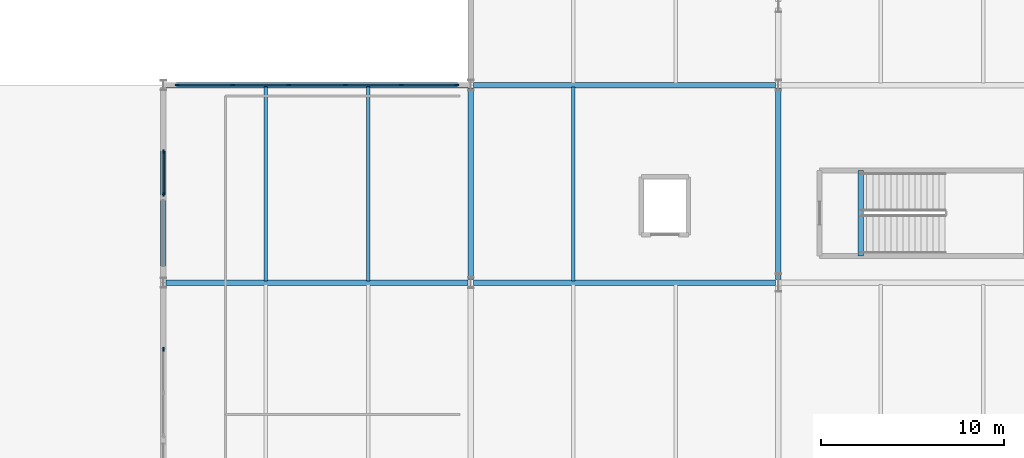
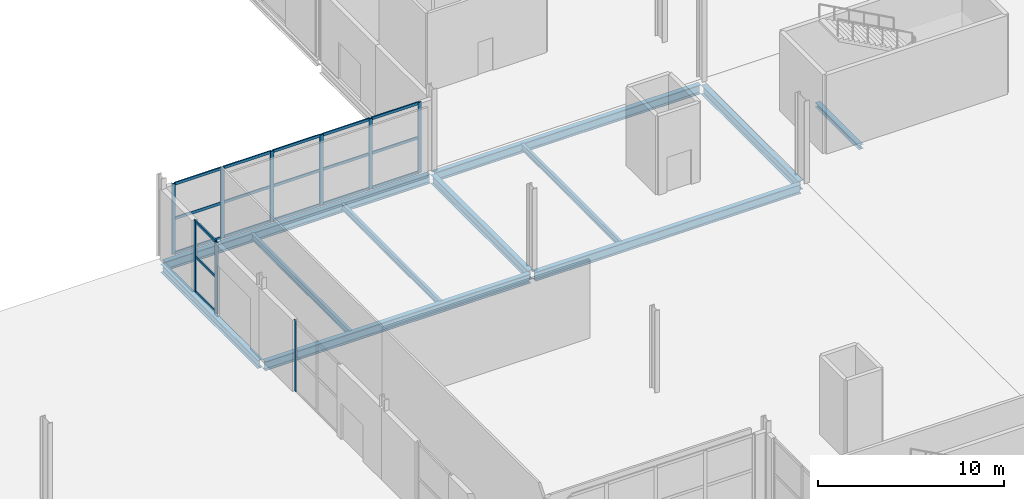
# One storey, part 28 of 87: 27 members, 11 beams, 3 elements without a shape of their own.
"""IFC4 building model written with IfcOpenShell, lengths in metres."""

from ifc_helpers import new_model, si_unit, direction, frame, origin, origin_2d, place, context, subcontext, project, spatial, rectangle, i_section, extrude, material, material_profile, profile_set, type_object, element, aggregate, save


model = new_model("IFC4")

# Units and contexts
model_context = context("Model", 3, precision=1e-05, world=origin(), true_north=direction((0.0, 1.0)))
body_context = subcontext(model_context, "Body", "Model", "MODEL_VIEW")
ifc_project = project(units=[si_unit("LENGTHUNIT", "METRE"), si_unit("AREAUNIT", "SQUARE_METRE"), si_unit("VOLUMEUNIT", "CUBIC_METRE"), si_unit("PLANEANGLEUNIT", "RADIAN"), si_unit("MASSUNIT", "GRAM", prefix="KILO")], contexts=[model_context])

# Site, building, storey
site_placement = place(None, origin())
site = spatial("IfcSite", under=ifc_project, at=site_placement, CompositionType="ELEMENT")
building_placement = place(site_placement, origin())
building = spatial("IfcBuilding", under=site, at=building_placement, Name="Kimbaza Rail Terminus", CompositionType="ELEMENT")
storey_placement = place(building_placement, origin())
storey = spatial("IfcBuildingStorey", under=building, at=storey_placement, Name="L00", CompositionType="ELEMENT", Elevation=0.0)

# Curtain wall, members
ifc_material_1 = material(Name="Anodised aluminium framing and solar low-E glazing", Category="aluminium")
curtain_wall_type = type_object("IfcCurtainWallType", Name="ARC-CW-TH1", PredefinedType="USERDEFINED", material=ifc_material_1)
curtain_wall_1_placement = place(storey_placement, origin())
curtain_wall_1 = element("IfcCurtainWall", 1, at=curtain_wall_1_placement, inside=storey, type_object=curtain_wall_type, Name="Ticket Hall Wing W Curtain Wall L00.1", ObjectType="UNITISED CURTAIN WALL", PredefinedType="USERDEFINED")
ifc_material_2 = material(Name="Anodised architectural aluminium", Category="aluminium")
ifc_material_profile_1 = material_profile(ifc_material_2, rectangle(XDim=0.074951171875, YDim=0.219970703125, at=origin_2d()), Name="MULLION 75x220")
ifc_profile_set_1 = profile_set([ifc_material_profile_1], Name="Anodised architectural aluminium")
member_type_1 = type_object("IfcMemberType", Name="ARC-CWM-01", PredefinedType="MULLION", material=ifc_profile_set_1)
member_1_placement = place(storey_placement, frame((39.157470703125, 91.0, 0.0), z_axis=(0.0, 0.0, 1.0), x_axis=(0.0, 1.0, 0.0)))
member_1 = element("IfcMember", 2, at=member_1_placement, type_object=member_type_1, Name="CW-01 mullion 1", PredefinedType="MULLION", context=body_context, shape_type="SweptSolid", body=[
    extrude(rectangle(XDim=0.074951171875, YDim=0.219970703125, at=origin_2d()), origin(), (0.0, 0.0, 1.0), 4.625),
])
member_2_placement = place(storey_placement, frame((42.19189453125, 91.0, 0.0), z_axis=(0.0, 0.0, 1.0), x_axis=(0.0, 1.0, 0.0)))
member_2 = element("IfcMember", 3, at=member_2_placement, type_object=member_type_1, Name="CW-01 mullion 2", PredefinedType="MULLION", context=body_context, shape_type="SweptSolid", body=[
    extrude(rectangle(XDim=0.074951171875, YDim=0.219970703125, at=origin_2d()), origin(), (0.0, 0.0, 1.0), 4.625),
])
member_3_placement = place(storey_placement, frame((45.263916015625, 91.0, 0.0), z_axis=(0.0, 0.0, 1.0), x_axis=(0.0, 1.0, 0.0)))
member_3 = element("IfcMember", 4, at=member_3_placement, type_object=member_type_1, Name="CW-01 mullion 3", PredefinedType="MULLION", context=body_context, shape_type="SweptSolid", body=[
    extrude(rectangle(XDim=0.074951171875, YDim=0.219970703125, at=origin_2d()), origin(), (0.0, 0.0, 1.0), 4.625),
])
member_4_placement = place(storey_placement, frame((48.3359375, 91.0, 0.0), z_axis=(0.0, 0.0, 1.0), x_axis=(0.0, 1.0, 0.0)))
member_4 = element("IfcMember", 5, at=member_4_placement, type_object=member_type_1, Name="CW-01 mullion 4", PredefinedType="MULLION", context=body_context, shape_type="SweptSolid", body=[
    extrude(rectangle(XDim=0.074951171875, YDim=0.219970703125, at=origin_2d()), origin(), (0.0, 0.0, 1.0), 4.625),
])
member_5_placement = place(storey_placement, frame((51.407958984375, 91.0, 0.0), z_axis=(0.0, 0.0, 1.0), x_axis=(0.0, 1.0, 0.0)))
member_5 = element("IfcMember", 6, at=member_5_placement, type_object=member_type_1, Name="CW-01 mullion 5", PredefinedType="MULLION", context=body_context, shape_type="SweptSolid", body=[
    extrude(rectangle(XDim=0.074951171875, YDim=0.219970703125, at=origin_2d()), origin(), (0.0, 0.0, 1.0), 4.625),
])
member_6_placement = place(storey_placement, frame((54.4423828125, 91.0, 0.0), z_axis=(0.0, 0.0, 1.0), x_axis=(0.0, 1.0, 0.0)))
member_6 = element("IfcMember", 7, at=member_6_placement, type_object=member_type_1, Name="CW-01 mullion 6", PredefinedType="MULLION", context=body_context, shape_type="SweptSolid", body=[
    extrude(rectangle(XDim=0.074951171875, YDim=0.219970703125, at=origin_2d()), origin(), (0.0, 0.0, 1.0), 4.625),
])

# Curtain wall, member
curtain_wall_2_placement = place(storey_placement, origin())
curtain_wall_2 = element("IfcCurtainWall", 8, at=curtain_wall_2_placement, inside=storey, type_object=curtain_wall_type, Name="Ticket Hall W Glazing L00.2", ObjectType="UNITISED CURTAIN WALL", PredefinedType="USERDEFINED")
member_7_placement = place(storey_placement, frame((38.39990234375, 76.5625, 0.0), z_axis=(0.0, 0.0, 1.0), x_axis=(-1.0, 0.0, 0.0)))
member_7 = element("IfcMember", 9, at=member_7_placement, type_object=member_type_1, Name="CW-01 mullion 3", PredefinedType="MULLION", context=body_context, shape_type="SweptSolid", body=[
    extrude(rectangle(XDim=0.074951171875, YDim=0.219970703125, at=origin_2d()), origin(), (0.0, 0.0, 1.0), 4.675048828125),
])
aggregate(curtain_wall_2, [member_7])

# Curtain wall, members
curtain_wall_3_placement = place(storey_placement, origin())
curtain_wall_3 = element("IfcCurtainWall", 10, at=curtain_wall_3_placement, inside=storey, type_object=curtain_wall_type, Name="Ticket Hall W Glazing L00.3", ObjectType="UNITISED CURTAIN WALL", PredefinedType="USERDEFINED")
member_8_placement = place(storey_placement, frame((38.39990234375, 85.03759765625, 0.0), z_axis=(0.0, 0.0, 1.0), x_axis=(-1.0, 0.0, 0.0)))
member_8 = element("IfcMember", 11, at=member_8_placement, type_object=member_type_1, Name="CW-01 mullion 1", PredefinedType="MULLION", context=body_context, shape_type="SweptSolid", body=[
    extrude(rectangle(XDim=0.074951171875, YDim=0.219970703125, at=origin_2d()), origin(), (0.0, 0.0, 1.0), 4.675048828125),
])
member_9_placement = place(storey_placement, frame((38.39990234375, 87.362548828125, 0.0), z_axis=(0.0, 0.0, 1.0), x_axis=(-1.0, 0.0, 0.0)))
member_9 = element("IfcMember", 12, at=member_9_placement, type_object=member_type_1, Name="CW-01 mullion 2", PredefinedType="MULLION", context=body_context, shape_type="SweptSolid", body=[
    extrude(rectangle(XDim=0.074951171875, YDim=0.219970703125, at=origin_2d()), origin(), (0.0, 0.0, 1.0), 4.675048828125),
])

# Member
ifc_material_3 = material(Name="Anodised architectural aluminium", Category="aluminium")
ifc_material_profile_2 = material_profile(ifc_material_3, rectangle(XDim=0.074951171875, YDim=0.179931640625, at=origin_2d()), Name="TRANSOM 75x180")
ifc_profile_set_2 = profile_set([ifc_material_profile_2], Name="Anodised architectural aluminium")
member_type_2 = type_object("IfcMemberType", Name="ARC-CWT-01", PredefinedType="USERDEFINED", material=ifc_profile_set_2)
member_10_placement = place(storey_placement, frame((39.195068359375, 91.0, 0.03759765625), z_axis=(1.0, 0.0, 0.0), x_axis=(0.0, 1.0, 0.0)))
member_10 = element("IfcMember", 13, at=member_10_placement, type_object=member_type_2, Name="CW-01 transom 1.1", ObjectType="TRANSOM", PredefinedType="USERDEFINED", context=body_context, shape_type="SweptSolid", body=[
    extrude(rectangle(XDim=0.074951171875, YDim=0.179931640625, at=origin_2d()), origin(), (0.0, 0.0, 1.0), 2.95947265625),
])

member_11_placement = place(storey_placement, frame((39.195068359375, 91.0, 2.3125), z_axis=(1.0, 0.0, 0.0), x_axis=(0.0, 1.0, 0.0)))
member_11 = element("IfcMember", 14, at=member_11_placement, type_object=member_type_2, Name="CW-01 transom 1.2", ObjectType="TRANSOM", PredefinedType="USERDEFINED", context=body_context, shape_type="SweptSolid", body=[
    extrude(rectangle(XDim=0.074951171875, YDim=0.179931640625, at=origin_2d()), origin(), (0.0, 0.0, 1.0), 2.95947265625),
])

member_12_placement = place(storey_placement, frame((39.195068359375, 91.0, 4.58740234375), z_axis=(1.0, 0.0, 0.0), x_axis=(0.0, 1.0, 0.0)))
member_12 = element("IfcMember", 15, at=member_12_placement, type_object=member_type_2, Name="CW-01 transom 1.3", ObjectType="TRANSOM", PredefinedType="USERDEFINED", context=body_context, shape_type="SweptSolid", body=[
    extrude(rectangle(XDim=0.074951171875, YDim=0.179931640625, at=origin_2d()), origin(), (0.0, 0.0, 1.0), 2.95947265625),
])

member_13_placement = place(storey_placement, frame((42.2294921875, 91.0, 0.03759765625), z_axis=(1.0, 0.0, 0.0), x_axis=(0.0, 1.0, 0.0)))
member_13 = element("IfcMember", 16, at=member_13_placement, type_object=member_type_2, Name="CW-01 transom 2.1", ObjectType="TRANSOM", PredefinedType="USERDEFINED", context=body_context, shape_type="SweptSolid", body=[
    extrude(rectangle(XDim=0.074951171875, YDim=0.179931640625, at=origin_2d()), origin(), (0.0, 0.0, 1.0), 2.9970703125),
])

member_14_placement = place(storey_placement, frame((42.2294921875, 91.0, 2.3125), z_axis=(1.0, 0.0, 0.0), x_axis=(0.0, 1.0, 0.0)))
member_14 = element("IfcMember", 17, at=member_14_placement, type_object=member_type_2, Name="CW-01 transom 2.2", ObjectType="TRANSOM", PredefinedType="USERDEFINED", context=body_context, shape_type="SweptSolid", body=[
    extrude(rectangle(XDim=0.074951171875, YDim=0.179931640625, at=origin_2d()), origin(), (0.0, 0.0, 1.0), 2.9970703125),
])

member_15_placement = place(storey_placement, frame((42.2294921875, 91.0, 4.58740234375), z_axis=(1.0, 0.0, 0.0), x_axis=(0.0, 1.0, 0.0)))
member_15 = element("IfcMember", 18, at=member_15_placement, type_object=member_type_2, Name="CW-01 transom 2.3", ObjectType="TRANSOM", PredefinedType="USERDEFINED", context=body_context, shape_type="SweptSolid", body=[
    extrude(rectangle(XDim=0.074951171875, YDim=0.179931640625, at=origin_2d()), origin(), (0.0, 0.0, 1.0), 2.9970703125),
])

member_16_placement = place(storey_placement, frame((45.301513671875, 91.0, 0.03759765625), z_axis=(1.0, 0.0, 0.0), x_axis=(0.0, 1.0, 0.0)))
member_16 = element("IfcMember", 19, at=member_16_placement, type_object=member_type_2, Name="CW-01 transom 3.1", ObjectType="TRANSOM", PredefinedType="USERDEFINED", context=body_context, shape_type="SweptSolid", body=[
    extrude(rectangle(XDim=0.074951171875, YDim=0.179931640625, at=origin_2d()), origin(), (0.0, 0.0, 1.0), 2.9970703125),
])

member_17_placement = place(storey_placement, frame((45.301513671875, 91.0, 2.3125), z_axis=(1.0, 0.0, 0.0), x_axis=(0.0, 1.0, 0.0)))
member_17 = element("IfcMember", 20, at=member_17_placement, type_object=member_type_2, Name="CW-01 transom 3.2", ObjectType="TRANSOM", PredefinedType="USERDEFINED", context=body_context, shape_type="SweptSolid", body=[
    extrude(rectangle(XDim=0.074951171875, YDim=0.179931640625, at=origin_2d()), origin(), (0.0, 0.0, 1.0), 2.9970703125),
])

member_18_placement = place(storey_placement, frame((45.301513671875, 91.0, 4.58740234375), z_axis=(1.0, 0.0, 0.0), x_axis=(0.0, 1.0, 0.0)))
member_18 = element("IfcMember", 21, at=member_18_placement, type_object=member_type_2, Name="CW-01 transom 3.3", ObjectType="TRANSOM", PredefinedType="USERDEFINED", context=body_context, shape_type="SweptSolid", body=[
    extrude(rectangle(XDim=0.074951171875, YDim=0.179931640625, at=origin_2d()), origin(), (0.0, 0.0, 1.0), 2.9970703125),
])

member_19_placement = place(storey_placement, frame((48.37353515625, 91.0, 0.03759765625), z_axis=(1.0, 0.0, 0.0), x_axis=(0.0, 1.0, 0.0)))
member_19 = element("IfcMember", 22, at=member_19_placement, type_object=member_type_2, Name="CW-01 transom 4.1", ObjectType="TRANSOM", PredefinedType="USERDEFINED", context=body_context, shape_type="SweptSolid", body=[
    extrude(rectangle(XDim=0.074951171875, YDim=0.179931640625, at=origin_2d()), origin(), (0.0, 0.0, 1.0), 2.9970703125),
])

member_20_placement = place(storey_placement, frame((48.37353515625, 91.0, 2.3125), z_axis=(1.0, 0.0, 0.0), x_axis=(0.0, 1.0, 0.0)))
member_20 = element("IfcMember", 23, at=member_20_placement, type_object=member_type_2, Name="CW-01 transom 4.2", ObjectType="TRANSOM", PredefinedType="USERDEFINED", context=body_context, shape_type="SweptSolid", body=[
    extrude(rectangle(XDim=0.074951171875, YDim=0.179931640625, at=origin_2d()), origin(), (0.0, 0.0, 1.0), 2.9970703125),
])

member_21_placement = place(storey_placement, frame((48.37353515625, 91.0, 4.58740234375), z_axis=(1.0, 0.0, 0.0), x_axis=(0.0, 1.0, 0.0)))
member_21 = element("IfcMember", 24, at=member_21_placement, type_object=member_type_2, Name="CW-01 transom 4.3", ObjectType="TRANSOM", PredefinedType="USERDEFINED", context=body_context, shape_type="SweptSolid", body=[
    extrude(rectangle(XDim=0.074951171875, YDim=0.179931640625, at=origin_2d()), origin(), (0.0, 0.0, 1.0), 2.9970703125),
])

member_22_placement = place(storey_placement, frame((51.445556640625, 91.0, 0.03759765625), z_axis=(1.0, 0.0, 0.0), x_axis=(0.0, 1.0, 0.0)))
member_22 = element("IfcMember", 25, at=member_22_placement, type_object=member_type_2, Name="CW-01 transom 5.1", ObjectType="TRANSOM", PredefinedType="USERDEFINED", context=body_context, shape_type="SweptSolid", body=[
    extrude(rectangle(XDim=0.074951171875, YDim=0.179931640625, at=origin_2d()), origin(), (0.0, 0.0, 1.0), 2.95947265625),
])

member_23_placement = place(storey_placement, frame((51.445556640625, 91.0, 2.3125), z_axis=(1.0, 0.0, 0.0), x_axis=(0.0, 1.0, 0.0)))
member_23 = element("IfcMember", 26, at=member_23_placement, type_object=member_type_2, Name="CW-01 transom 5.2", ObjectType="TRANSOM", PredefinedType="USERDEFINED", context=body_context, shape_type="SweptSolid", body=[
    extrude(rectangle(XDim=0.074951171875, YDim=0.179931640625, at=origin_2d()), origin(), (0.0, 0.0, 1.0), 2.95947265625),
])

member_24_placement = place(storey_placement, frame((51.445556640625, 91.0, 4.58740234375), z_axis=(1.0, 0.0, 0.0), x_axis=(0.0, 1.0, 0.0)))
member_24 = element("IfcMember", 27, at=member_24_placement, type_object=member_type_2, Name="CW-01 transom 5.3", ObjectType="TRANSOM", PredefinedType="USERDEFINED", context=body_context, shape_type="SweptSolid", body=[
    extrude(rectangle(XDim=0.074951171875, YDim=0.179931640625, at=origin_2d()), origin(), (0.0, 0.0, 1.0), 2.95947265625),
])

aggregate(curtain_wall_1, [member_1, member_2, member_3, member_4, member_5, member_6, member_10, member_11, member_12, member_13, member_14, member_15, member_16, member_17, member_18, member_19, member_20, member_21, member_22, member_23, member_24])

member_25_placement = place(storey_placement, frame((38.39990234375, 85.074951171875, 0.03759765625), z_axis=(0.0, 1.0, 0.0), x_axis=(-1.0, 0.0, 0.0)))
member_25 = element("IfcMember", 28, at=member_25_placement, type_object=member_type_2, Name="CW-01 transom 1.1", ObjectType="TRANSOM", PredefinedType="USERDEFINED", context=body_context, shape_type="SweptSolid", body=[
    extrude(rectangle(XDim=0.074951171875, YDim=0.179931640625, at=origin_2d()), origin(), (0.0, 0.0, 1.0), 2.25),
])

member_26_placement = place(storey_placement, frame((38.39990234375, 85.074951171875, 2.33740234375), z_axis=(0.0, 1.0, 0.0), x_axis=(-1.0, 0.0, 0.0)))
member_26 = element("IfcMember", 29, at=member_26_placement, type_object=member_type_2, Name="CW-01 transom 1.2", ObjectType="TRANSOM", PredefinedType="USERDEFINED", context=body_context, shape_type="SweptSolid", body=[
    extrude(rectangle(XDim=0.074951171875, YDim=0.179931640625, at=origin_2d()), origin(), (0.0, 0.0, 1.0), 2.25),
])

member_27_placement = place(storey_placement, frame((38.39990234375, 85.074951171875, 4.637451171875), z_axis=(0.0, 1.0, 0.0), x_axis=(-1.0, 0.0, 0.0)))
member_27 = element("IfcMember", 30, at=member_27_placement, type_object=member_type_2, Name="CW-01 transom 1.3", ObjectType="TRANSOM", PredefinedType="USERDEFINED", context=body_context, shape_type="SweptSolid", body=[
    extrude(rectangle(XDim=0.074951171875, YDim=0.179931640625, at=origin_2d()), origin(), (0.0, 0.0, 1.0), 2.25),
])

aggregate(curtain_wall_3, [member_8, member_9, member_25, member_26, member_27])

# Beams
ifc_material_4 = material(Name="Steel S355", Category="steel")
ifc_material_profile_3 = material_profile(ifc_material_4, i_section(OverallWidth=0.300048828125, OverallDepth=0.2900390625, WebThickness=0.008544921875, FlangeThickness=0.013916015625, FilletRadius=0.027099609375, at=origin_2d()), Name="HEA 300")
ifc_profile_set_3 = profile_set([ifc_material_profile_3], Name="Steel S355")
beam_type_1 = type_object("IfcBeamType", Name="STR-BM-HEA300", PredefinedType="SPANDREL", material=ifc_profile_set_3)
beam_1_placement = place(storey_placement, frame((76.5, 81.659912109375, -0.39501953125), z_axis=(0.0, 1.0, 0.0), x_axis=(-1.0, 0.0, 0.0)))
element("IfcBeam", 31, at=beam_1_placement, inside=storey, type_object=beam_type_1, Name="Platform West Concourse Stair Landing Trimmer Beam L00", PredefinedType="SPANDREL", context=body_context, shape_type="SweptSolid", body=[
    extrude(i_section(OverallWidth=0.300048828125, OverallDepth=0.2900390625, WebThickness=0.008544921875, FlangeThickness=0.013916015625, FilletRadius=0.027099609375, at=origin_2d()), origin(), (0.0, 0.0, 1.0), 4.68017578125),
])
ifc_material_5 = material(Name="Steel S355", Category="steel")
ifc_material_profile_4 = material_profile(ifc_material_5, i_section(OverallWidth=0.300048828125, OverallDepth=0.550048828125, WebThickness=0.014892578125, FlangeThickness=0.029052734375, FilletRadius=0.027099609375, at=origin_2d()), Name="HEB 550")
ifc_profile_set_4 = profile_set([ifc_material_profile_4], Name="Steel S355")
beam_type_2 = type_object("IfcBeamType", Name="STR-BM-HEB550", PredefinedType="BEAM", material=ifc_profile_set_4)
beam_2_placement = place(storey_placement, frame((38.39990234375, 80.375, -0.52490234375), z_axis=(0.0, 1.0, 0.0), x_axis=(-1.0, 0.0, 0.0)))
element("IfcBeam", 32, at=beam_2_placement, inside=storey, type_object=beam_type_2, Name="Beam BM-V2WY-L00-0-80", PredefinedType="BEAM", context=body_context, shape_type="SweptSolid", body=[
    extrude(i_section(OverallWidth=0.300048828125, OverallDepth=0.550048828125, WebThickness=0.014892578125, FlangeThickness=0.029052734375, FilletRadius=0.027099609375, at=origin_2d()), origin(), (0.0, 0.0, 1.0), 10.449951171875),
])
ifc_material_6 = material(Name="Steel S355", Category="steel")
ifc_material_profile_5 = material_profile(ifc_material_6, i_section(OverallWidth=0.300048828125, OverallDepth=0.60009765625, WebThickness=0.015380859375, FlangeThickness=0.030029296875, FilletRadius=0.027099609375, at=origin_2d()), Name="HEB 600")
ifc_profile_set_5 = profile_set([ifc_material_profile_5], Name="Steel S355")
beam_type_3 = type_object("IfcBeamType", Name="STR-BM-HEB600", PredefinedType="BEAM", material=ifc_profile_set_5)
for number, where, z_axis, x_axis, name in (
    (33, (55.199951171875, 80.375, -0.550048828125), (0.0, 1.0, 0.0), (-1.0, 0.0, 0.0), "Beam BM-V2Y-L00-0-80"),
    (34, (72.0, 80.375, -0.550048828125), (0.0, 1.0, 0.0), (-1.0, 0.0, 0.0), "Beam BM-V2Y-L00-1-80"),
):
    element("IfcBeam", number, at=place(storey_placement, frame(where, z_axis=z_axis, x_axis=x_axis)), inside=storey, type_object=beam_type_3, Name=name, PredefinedType="BEAM", context=body_context, shape_type="SweptSolid", body=[
        extrude(i_section(OverallWidth=0.300048828125, OverallDepth=0.60009765625, WebThickness=0.015380859375, FlangeThickness=0.030029296875, FilletRadius=0.027099609375, at=origin_2d()), origin(), (0.0, 0.0, 1.0), 10.449951171875),
    ])
for number, where, z_axis, x_axis, name in (
    (35, (38.5458984375, 80.199951171875, -0.550048828125), (1.0, 0.0, 0.0), (0.0, 1.0, 0.0), "Beam BM-V2X-L00-5-0"),
    (36, (55.345947265625, 80.199951171875, -0.550048828125), (1.0, 0.0, 0.0), (0.0, 1.0, 0.0), "Beam BM-V2X-L00-5-1"),
    (37, (38.5458984375, 91.0, -0.550048828125), (1.0, 0.0, 0.0), (0.0, 1.0, 0.0), "Beam BM-V2X-L00-6-0"),
    (38, (55.345947265625, 91.0, -0.550048828125), (1.0, 0.0, 0.0), (0.0, 1.0, 0.0), "Beam BM-V2X-L00-6-1"),
):
    element("IfcBeam", number, at=place(storey_placement, frame(where, z_axis=z_axis, x_axis=x_axis)), inside=storey, type_object=beam_type_3, Name=name, PredefinedType="BEAM", context=body_context, shape_type="SweptSolid", body=[
        extrude(i_section(OverallWidth=0.300048828125, OverallDepth=0.60009765625, WebThickness=0.015380859375, FlangeThickness=0.030029296875, FilletRadius=0.027099609375, at=origin_2d()), origin(), (0.0, 0.0, 1.0), 16.508056640625),
    ])
ifc_material_7 = material(Name="Steel S355", Category="steel")
ifc_material_profile_6 = material_profile(ifc_material_7, i_section(OverallWidth=0.179931640625, OverallDepth=0.39990234375, WebThickness=0.008544921875, FlangeThickness=0.013427734375, FilletRadius=0.02099609375, at=origin_2d()), Name="IPE 400")
ifc_profile_set_6 = profile_set([ifc_material_profile_6], Name="Steel S355")
beam_type_4 = type_object("IfcBeamType", Name="STR-BM-IPE400", PredefinedType="JOIST", material=ifc_profile_set_6)
for number, where, z_axis, x_axis, name in (
    (39, (44.0, 80.300048828125, -0.449951171875), (0.0, 1.0, 0.0), (-1.0, 0.0, 0.0), "Beam JST-V2-L00-0-1-80"),
    (40, (49.60009765625, 80.300048828125, -0.449951171875), (0.0, 1.0, 0.0), (-1.0, 0.0, 0.0), "Beam JST-V2-L00-0-2-80"),
    (41, (60.800048828125, 80.300048828125, -0.449951171875), (0.0, 1.0, 0.0), (-1.0, 0.0, 0.0), "Beam JST-V2-L00-1-1-80"),
):
    element("IfcBeam", number, at=place(storey_placement, frame(where, z_axis=z_axis, x_axis=x_axis)), inside=storey, type_object=beam_type_4, Name=name, PredefinedType="JOIST", context=body_context, shape_type="SweptSolid", body=[
        extrude(i_section(OverallWidth=0.179931640625, OverallDepth=0.39990234375, WebThickness=0.008544921875, FlangeThickness=0.013427734375, FilletRadius=0.02099609375, at=origin_2d()), origin(), (0.0, 0.0, 1.0), 10.599853515625),
    ])

save(model, "model.ifc")
